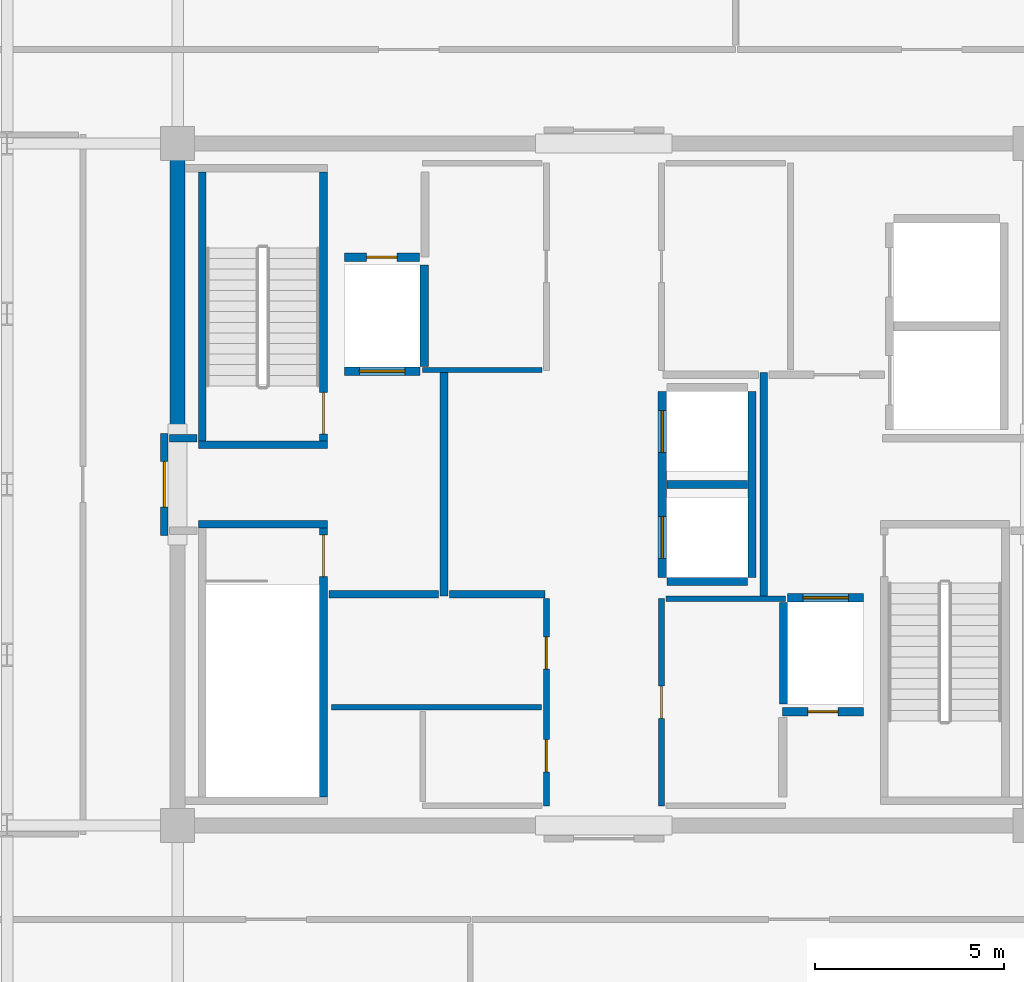
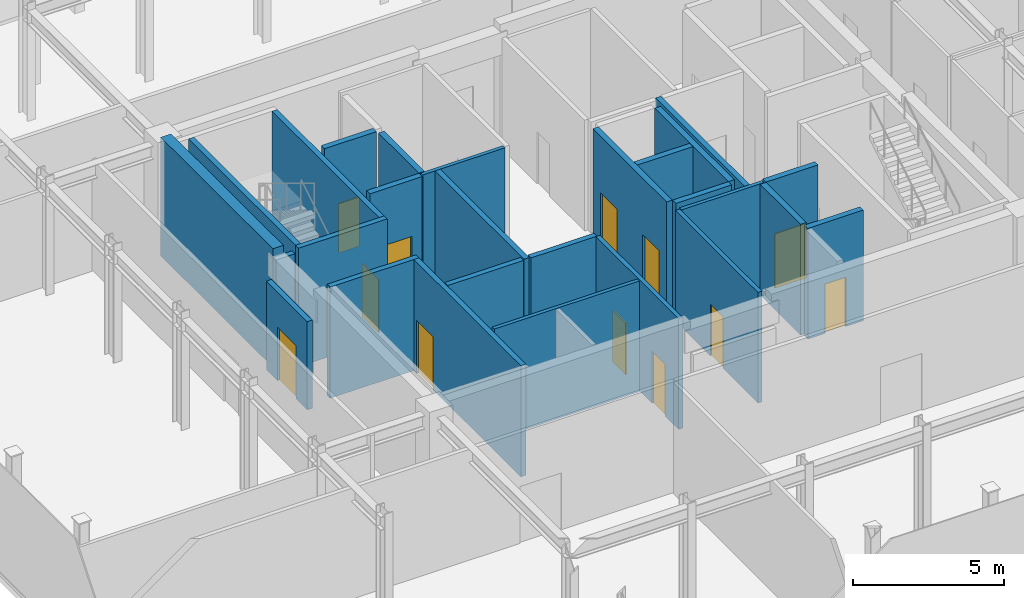
# One storey, part 13 of 17: 27 walls, 12 doors, 12 openings.
"""IFC4 building model written with IfcOpenShell, lengths in metres."""

import ifcopenshell
import ifcopenshell.guid

model = None  # the IFC model being written
_history = None  # IfcOwnerHistory: only IFC2X3 demands one
_inside = {}  # id of a spatial element -> (the spatial element, [elements in it])
_under = {}  # id of a project, library or spatial element -> (it, [spatial elements below it])
_declared = {}  # id of a project -> (the project, [libraries it declares])
_typed = {}  # id of a type object -> (the type object, [elements of that type])
_made_of = {}  # id of a material, layer set ... -> (it, [elements and type objects made of it])


def new_model(schema):
    """Start an empty IFC model of exactly this schema.

    Asked for "IFC4X3", IfcOpenShell would pick the latest addendum, in which some entities
    have other attributes; the version numbers below select the first issue.
    IFC2X3 requires an IfcOwnerHistory on every rooted entity: one is made here for all.
    """
    global model, _history
    if schema == "IFC4X3":
        model = ifcopenshell.file(schema_version=(4, 3, 0, 0))
    else:
        model = ifcopenshell.file(schema=schema)
    _inside.clear()
    _under.clear()
    _declared.clear()
    _typed.clear()
    _made_of.clear()
    _history = None
    if model.schema == "IFC2X3":
        org = make("IfcOrganization", Name="unknown")
        user = make(
            "IfcPersonAndOrganization",
            ThePerson=make("IfcPerson", FamilyName="unknown"),
            TheOrganization=org,
        )
        app = make(
            "IfcApplication",
            ApplicationDeveloper=org,
            Version="unknown",
            ApplicationFullName="unknown",
            ApplicationIdentifier="unknown",
        )
        _history = make(
            "IfcOwnerHistory",
            OwningUser=user,
            OwningApplication=app,
            ChangeAction="ADDED",
            CreationDate=0,
        )
    return model


def make(cls, **values):
    """One entity of the class cls with the attributes given. An attribute that is None is left unset."""
    return model.create_entity(
        cls, **{name: value for name, value in values.items() if value is not None}
    )


def rooted(cls, **values):
    """An entity with a GlobalId (a new one), such as an element, a storey or a relation."""
    return make(cls, GlobalId=ifcopenshell.guid.new(), OwnerHistory=_history, **values)


def si_unit(unit_type, name, prefix=None):
    """IfcSIUnit, for example si_unit("LENGTHUNIT", "METRE", prefix="MILLI")."""
    return make("IfcSIUnit", UnitType=unit_type, Prefix=prefix, Name=name)


def assignment(units):
    """IfcUnitAssignment: the units of a project."""
    return None if units is None else make("IfcUnitAssignment", Units=units)


def point(xyz):
    """IfcCartesianPoint."""
    return None if xyz is None else make("IfcCartesianPoint", Coordinates=xyz)


def direction(xyz):
    """IfcDirection."""
    return None if xyz is None else make("IfcDirection", DirectionRatios=xyz)


def frame(location, z_axis=None, x_axis=None):
    """IfcAxis2Placement3D, a coordinate frame: its origin and axes. An axis left out is left unset."""
    return make(
        "IfcAxis2Placement3D",
        Location=point(location),
        Axis=direction(z_axis),
        RefDirection=direction(x_axis),
    )


def frame_2d(location, x_axis=None):
    """IfcAxis2Placement2D, a coordinate frame in the plane: its origin and x axis."""
    return make(
        "IfcAxis2Placement2D", Location=point(location), RefDirection=direction(x_axis)
    )


def origin():
    """The frame at (0, 0, 0) with its axes left unset."""
    return frame((0.0, 0.0, 0.0))


def place(relative_to, where):
    """IfcLocalPlacement: puts the frame where relative to a parent placement (None: the world)."""
    return make(
        "IfcLocalPlacement", PlacementRelTo=relative_to, RelativePlacement=where
    )


def context(
    kind, dimensions, precision=None, world=None, true_north=None, identifier=None
):
    """IfcGeometricRepresentationContext, for example the 3D "Model" context."""
    return make(
        "IfcGeometricRepresentationContext",
        ContextIdentifier=identifier,
        ContextType=kind,
        CoordinateSpaceDimension=dimensions,
        Precision=precision,
        WorldCoordinateSystem=world,
        TrueNorth=true_north,
    )


def subcontext(parent, identifier, kind, view, scale=None):
    """IfcGeometricRepresentationSubContext, for example "Body" below "Model"."""
    return make(
        "IfcGeometricRepresentationSubContext",
        ContextIdentifier=identifier,
        ContextType=kind,
        ParentContext=parent,
        TargetScale=scale,
        TargetView=view,
    )


def project(units=None, contexts=None):
    """IfcProject with its units and contexts."""
    return rooted(
        "IfcProject",
        Name="project",
        RepresentationContexts=contexts,
        UnitsInContext=assignment(units),
    )


def spatial(cls, under=None, at=None, **own):
    """A site, building, storey or space (cls), placed at a placement, below another one or the project."""
    s = rooted(cls, ObjectPlacement=at, **own)
    if under is not None:
        _under.setdefault(under.id(), (under, []))[1].append(s)
    return s


def profile(cls, at=None, kind="AREA", **sizes):
    """A parametric profile (cls). Its sizes go by their IFC names, for example OverallWidth=200.0."""
    return make(cls, ProfileType=kind, Position=at, **sizes)


def rectangle(**sizes):
    """IfcRectangleProfileDef."""
    return profile("IfcRectangleProfileDef", **sizes)


def extrude(swept, where, along, depth):
    """IfcExtrudedAreaSolid: the profile swept, set in the frame where, extruded along a direction by depth."""
    return make(
        "IfcExtrudedAreaSolid",
        SweptArea=swept,
        Position=where,
        ExtrudedDirection=direction(along),
        Depth=depth,
    )


def shape(context_of_items, identifier, shape_type, items):
    """IfcShapeRepresentation: the items that make up one representation, for example the "Body"."""
    return make(
        "IfcShapeRepresentation",
        ContextOfItems=context_of_items,
        RepresentationIdentifier=identifier,
        RepresentationType=shape_type,
        Items=items,
    )


def source(mapping_origin, context_of_items, identifier, shape_type, items):
    """IfcRepresentationMap: a shape defined once, which mapped items show again and again."""
    return make(
        "IfcRepresentationMap",
        MappingOrigin=mapping_origin,
        MappedRepresentation=shape(context_of_items, identifier, shape_type, items),
    )


def transform(
    local_origin,
    x_axis=None,
    y_axis=None,
    z_axis=None,
    scale=None,
    scale2=None,
    scale3=None,
    uniform=True,
):
    """IfcCartesianTransformationOperator3D, or its non-uniform kind. x_axis, y_axis, z_axis: its Axis1, 2, 3."""
    if uniform:
        return make(
            "IfcCartesianTransformationOperator3D",
            Axis1=direction(x_axis),
            Axis2=direction(y_axis),
            LocalOrigin=point(local_origin),
            Scale=scale,
            Axis3=direction(z_axis),
        )
    return make(
        "IfcCartesianTransformationOperator3DnonUniform",
        Axis1=direction(x_axis),
        Axis2=direction(y_axis),
        LocalOrigin=point(local_origin),
        Scale=scale,
        Axis3=direction(z_axis),
        Scale2=scale2,
        Scale3=scale3,
    )


def mapped(mapping_source, mapping_target):
    """IfcMappedItem: shows the shape of a source again, moved by a transform."""
    return make(
        "IfcMappedItem", MappingSource=mapping_source, MappingTarget=mapping_target
    )


def material(Name=None, Category=None):
    """IfcMaterial."""
    return make("IfcMaterial", Name=Name, Category=Category)


def layer(
    of_material, thickness, ventilated=None, Name=None, Category=None, Priority=None
):
    """IfcMaterialLayer: one layer of a wall or slab, of a material (None: an air gap)."""
    return make(
        "IfcMaterialLayer",
        Material=of_material,
        LayerThickness=thickness,
        IsVentilated=ventilated,
        Name=Name,
        Category=Category,
        Priority=Priority,
    )


def layer_set(layers, Name=None):
    """IfcMaterialLayerSet."""
    return make("IfcMaterialLayerSet", MaterialLayers=layers, LayerSetName=Name)


def made_of(thing, what):
    """Note that an element or type object is made of a material, layer set ...; save() writes the relation."""
    if what is not None:
        _made_of.setdefault(what.id(), (what, []))[1].append(thing)
    return thing


def type_object(cls, material=None, **own):
    """A type object (cls), such as IfcWallType, which elements share."""
    return made_of(rooted(cls, **own), material)


def element(
    cls,
    number,
    at=None,
    inside=None,
    cuts=None,
    type_object=None,
    material=None,
    context=None,
    identifier="Body",
    shape_type=None,
    held_by="IfcProductDefinitionShape",
    body=None,
    shapes=None,
    **own,
):
    """One element of the class cls, such as IfcWall. Its Tag is "e" and its number.

    at: its placement. inside: the storey or other place that contains it. cuts: it is an
    opening in that element (IfcRelVoidsElement). A single representation is given by context,
    identifier, shape_type and body (its items); several are given by shapes. held_by: the class
    of the entity that holds the representations. save() writes the other relations.
    """
    e = rooted(cls, Tag="e%d" % number, ObjectPlacement=at, **own)
    if body is not None:
        shapes = [shape(context, identifier, shape_type, body)]
    if shapes is not None:
        e.Representation = make(held_by, Representations=shapes)
    if inside is not None:
        _inside.setdefault(inside.id(), (inside, []))[1].append(e)
    if cuts is not None:
        rooted(
            "IfcRelVoidsElement", RelatingBuildingElement=cuts, RelatedOpeningElement=e
        )
    if type_object is not None:
        _typed.setdefault(type_object.id(), (type_object, []))[1].append(e)
    return made_of(e, material)


def fill(opening, filler):
    """IfcRelFillsElement: the door or window that sits in an opening."""
    return rooted(
        "IfcRelFillsElement",
        RelatingOpeningElement=opening,
        RelatedBuildingElement=filler,
    )


def aggregate(whole, parts):
    """IfcRelAggregates: a whole, such as a stair, and the parts it consists of."""
    return rooted("IfcRelAggregates", RelatingObject=whole, RelatedObjects=parts)


def save(model, path):
    """Write the relations noted so far, then the file.

    IfcRelAggregates (storeys below a building ...), IfcRelContainedInSpatialStructure (elements
    in a storey), IfcRelDefinesByType, IfcRelAssociatesMaterial and IfcRelDeclares: one each for
    every whole, place, type object, material and project.
    """
    for whole, parts in _under.values():
        aggregate(whole, parts)
    for where, things in _inside.values():
        rooted(
            "IfcRelContainedInSpatialStructure",
            RelatedElements=things,
            RelatingStructure=where,
        )
    for kind, things in _typed.values():
        rooted("IfcRelDefinesByType", RelatedObjects=things, RelatingType=kind)
    for what, things in _made_of.values():
        rooted("IfcRelAssociatesMaterial", RelatedObjects=things, RelatingMaterial=what)
    for by, libraries in _declared.values():
        rooted("IfcRelDeclares", RelatingContext=by, RelatedDefinitions=libraries)
    model.write(path)


model = new_model("IFC4")

# Units and contexts
model_context = context("Model", 3, precision=1e-05, world=origin(), true_north=direction((0.0, 1.0)))
body_context = subcontext(model_context, "Body", "Model", "MODEL_VIEW")
ifc_project = project(units=[si_unit("LENGTHUNIT", "METRE"), si_unit("AREAUNIT", "SQUARE_METRE"), si_unit("VOLUMEUNIT", "CUBIC_METRE"), si_unit("PLANEANGLEUNIT", "RADIAN"), si_unit("MASSUNIT", "GRAM", prefix="KILO")], contexts=[model_context])

# Site, building, storey
site_placement = place(None, origin())
site = spatial("IfcSite", under=ifc_project, at=site_placement, CompositionType="ELEMENT")
building_placement = place(site_placement, origin())
building = spatial("IfcBuilding", under=site, at=building_placement, Name="Nefas-Gora Pilgrimage Tower", CompositionType="ELEMENT")
storey_placement = place(building_placement, frame((0.0, 0.0, 353.800048828125)))
storey = spatial("IfcBuildingStorey", under=building, at=storey_placement, Name="L89", CompositionType="ELEMENT", Elevation=353.800048828125)

# Walls
ifc_material_1 = material(Name="Concrete C50/60", Category="concrete")
ifc_layer_1 = layer(ifc_material_1, 0.39990234375)
ifc_layer_set_1 = layer_set([ifc_layer_1], Name="Concrete C50/60")
wall_type_1 = type_object("IfcWallType", Name="SW-CORE-400", PredefinedType="SHEAR", material=ifc_layer_set_1)
shared_shape_1 = source(origin(), body_context, "Body", "SweptSolid", [
    extrude(rectangle(XDim=7.449951171875, YDim=0.39990234375, at=frame_2d((3.72509765625, 0.0))), origin(), (0.0, 0.0, 1.0), 4.800048828125),
])
wall_1_placement = place(storey_placement, frame((-11.25, 1.35009765625, 0.0), z_axis=(0.0, 0.0, 1.0), x_axis=(0.0, 1.0, 0.0)))
element("IfcWall", 1, at=wall_1_placement, inside=storey, type_object=wall_type_1, Name="L89 Core Shear Wall W-North", PredefinedType="SHEAR", context=body_context, shape_type="MappedRepresentation", body=[
    mapped(shared_shape_1, transform((0.0, 0.0, 0.0), x_axis=(1.0, 0.0, 0.0), y_axis=(0.0, 1.0, 0.0), z_axis=(0.0, 0.0, 1.0), scale=1.0)),
])
ifc_material_2 = material(Name="Concrete C45/55", Category="concrete")
ifc_layer_2 = layer(ifc_material_2, 0.199951171875)
ifc_layer_set_2 = layer_set([ifc_layer_2], Name="Concrete C45/55")
wall_type_2 = type_object("IfcWallType", Name="IW-STAIR-200", PredefinedType="SOLIDWALL", material=ifc_layer_set_2)
shared_shape_2 = source(origin(), body_context, "Body", "SweptSolid", [
    extrude(rectangle(XDim=3.39990234375, YDim=0.199951171875, at=frame_2d((1.699951171875, 0.0))), origin(), (0.0, 0.0, 1.0), 4.5),
])
wall_2_placement = place(storey_placement, frame((-10.699951171875, -1.050048828125, 0.0), z_axis=(0.0, 0.0, 1.0), x_axis=(1.0, 0.0, 0.0)))
element("IfcWall", 2, at=wall_2_placement, inside=storey, type_object=wall_type_2, Name="L89 Stairwell Shear Wall ST-03-near", PredefinedType="SOLIDWALL", context=body_context, shape_type="MappedRepresentation", body=[
    mapped(shared_shape_2, transform((0.0, 0.0, 0.0), x_axis=(1.0, 0.0, 0.0), y_axis=(0.0, 1.0, 0.0), z_axis=(0.0, 0.0, 1.0), scale=1.0)),
])

# Wall, opening, door
shared_shape_3 = source(origin(), body_context, "Body", "SweptSolid", [
    extrude(rectangle(XDim=7.10009765625, YDim=0.199951171875, at=frame_2d((3.550048828125, 0.0))), origin(), (0.0, 0.0, 1.0), 4.5),
])
wall_3_placement = place(storey_placement, frame((-7.39990234375, -1.14990234375, 0.0), z_axis=(0.0, 0.0, 1.0), x_axis=(0.0, -1.0, 0.0)))
wall_3 = element("IfcWall", 3, at=wall_3_placement, inside=storey, type_object=wall_type_2, Name="L89 Stairwell Shear Wall ST-03-right", PredefinedType="SOLIDWALL", context=body_context, shape_type="MappedRepresentation", body=[
    mapped(shared_shape_3, transform((0.0, 0.0, 0.0), x_axis=(1.0, 0.0, 0.0), y_axis=(0.0, 1.0, 0.0), z_axis=(0.0, 0.0, 1.0), scale=1.0)),
])
opening_1_placement = place(wall_3_placement, frame((0.179931640625, 0.0, 0.0)))
opening_1 = element("IfcOpeningElement", 4, at=opening_1_placement, cuts=wall_3, Name="Opening ID-ST1", PredefinedType="OPENING", context=body_context, shape_type="SweptSolid", body=[
    extrude(rectangle(XDim=1.10009765625, YDim=2.14990234375, at=frame_2d((0.550048828125, 1.074951171875))), frame((0.0, 0.10986328125, 0.0), z_axis=(0.0, -1.0, 0.0), x_axis=(1.0, 0.0, 0.0)), (0.0, 0.0, 1.0), 0.219970703125),
])
ifc_material_3 = material(Name="Painted galvanised steel fire stair door", Category="steel")
door_type_1 = type_object("IfcDoorType", Name="DR-INT-STAIR-1100", OperationType="NOTDEFINED", PredefinedType="DOOR", material=ifc_material_3)
shared_shape_4 = source(origin(), body_context, "Body", "SweptSolid", [
    extrude(rectangle(XDim=1.10009765625, YDim=2.14990234375, at=frame_2d((0.550048828125, 1.074951171875))), frame((0.0, 0.02490234375, 0.0), z_axis=(0.0, -1.0, 0.0), x_axis=(1.0, 0.0, 0.0)), (0.0, 0.0, 1.0), 0.050048828125),
])
door_1_placement = place(opening_1_placement, origin())
door_1 = element("IfcDoor", 5, at=door_1_placement, inside=storey, type_object=door_type_1, Name="L89 Protected Exit Stair Door ST-03", OperationType="SINGLE_SWING_LEFT", OverallHeight=2.14990234375, OverallWidth=1.10009765625, PredefinedType="DOOR", context=body_context, shape_type="MappedRepresentation", body=[
    mapped(shared_shape_4, transform((0.0, 0.0, 0.0), x_axis=(1.0, 0.0, 0.0), y_axis=(0.0, 1.0, 0.0), z_axis=(0.0, 0.0, 1.0), scale=1.0)),
])
fill(opening_1, door_1)

# Wall
shared_shape_5 = source(origin(), body_context, "Body", "SweptSolid", [
    extrude(rectangle(XDim=3.39990234375, YDim=0.199951171875, at=frame_2d((1.699951171875, 0.0))), origin(), (0.0, 0.0, 1.0), 4.800048828125),
])
wall_4_placement = place(storey_placement, frame((-7.300048828125, 1.050048828125, 0.0), z_axis=(0.0, 0.0, 1.0), x_axis=(-1.0, 0.0, 0.0)))
element("IfcWall", 6, at=wall_4_placement, inside=storey, type_object=wall_type_2, Name="L89 Stairwell Shear Wall ST-01-near", PredefinedType="SOLIDWALL", context=body_context, shape_type="MappedRepresentation", body=[
    mapped(shared_shape_5, transform((0.0, 0.0, 0.0), x_axis=(1.0, 0.0, 0.0), y_axis=(0.0, 1.0, 0.0), z_axis=(0.0, 0.0, 1.0), scale=1.0)),
])

# Wall, opening, door
shared_shape_6 = source(origin(), body_context, "Body", "SweptSolid", [
    extrude(rectangle(XDim=7.10009765625, YDim=0.199951171875, at=frame_2d((3.550048828125, 0.0))), origin(), (0.0, 0.0, 1.0), 4.800048828125),
])
wall_5_placement = place(storey_placement, frame((-7.39990234375, 1.14990234375, 0.0), z_axis=(0.0, 0.0, 1.0), x_axis=(0.0, 1.0, 0.0)))
wall_5 = element("IfcWall", 7, at=wall_5_placement, inside=storey, type_object=wall_type_2, Name="L89 Stairwell Shear Wall ST-01-left", PredefinedType="SOLIDWALL", context=body_context, shape_type="MappedRepresentation", body=[
    mapped(shared_shape_6, transform((0.0, 0.0, 0.0), x_axis=(1.0, 0.0, 0.0), y_axis=(0.0, 1.0, 0.0), z_axis=(0.0, 0.0, 1.0), scale=1.0)),
])
opening_2_placement = place(wall_5_placement, frame((0.179931640625, 0.0, 0.0)))
opening_2 = element("IfcOpeningElement", 8, at=opening_2_placement, cuts=wall_5, Name="Opening ID-ST1", PredefinedType="OPENING", context=body_context, shape_type="SweptSolid", body=[
    extrude(rectangle(XDim=1.10009765625, YDim=2.14990234375, at=frame_2d((0.550048828125, 1.074951171875))), frame((0.0, 0.10986328125, 0.0), z_axis=(0.0, -1.0, 0.0), x_axis=(1.0, 0.0, 0.0)), (0.0, 0.0, 1.0), 0.219970703125),
])
door_2_placement = place(opening_2_placement, origin())
door_2 = element("IfcDoor", 9, at=door_2_placement, inside=storey, type_object=door_type_1, Name="L89 Protected Exit Stair Door ST-01", OperationType="SINGLE_SWING_LEFT", OverallHeight=2.14990234375, OverallWidth=1.10009765625, PredefinedType="DOOR", context=body_context, shape_type="MappedRepresentation", body=[
    mapped(shared_shape_4, transform((0.0, 0.0, 0.0), x_axis=(1.0, 0.0, 0.0), y_axis=(0.0, 1.0, 0.0), z_axis=(0.0, 0.0, 1.0), scale=1.0)),
])
fill(opening_2, door_2)

# Wall
wall_6_placement = place(storey_placement, frame((-10.60009765625, 1.14990234375, 0.0), z_axis=(0.0, 0.0, 1.0), x_axis=(0.0, 1.0, 0.0)))
element("IfcWall", 10, at=wall_6_placement, inside=storey, type_object=wall_type_2, Name="L89 Stairwell Shear Wall ST-01-right", PredefinedType="SOLIDWALL", context=body_context, shape_type="MappedRepresentation", body=[
    mapped(shared_shape_6, transform((0.0, 0.0, 0.0), x_axis=(1.0, 0.0, 0.0), y_axis=(0.0, 1.0, 0.0), z_axis=(0.0, 0.0, 1.0), scale=1.0)),
])

# Wall, opening, door
ifc_material_4 = material(Name="Concrete C40/50", Category="concrete")
ifc_layer_3 = layer(ifc_material_4, 0.219970703125)
ifc_layer_set_3 = layer_set([ifc_layer_3], Name="Concrete C40/50")
wall_type_3 = type_object("IfcWallType", Name="IW-SHAFT-220", PredefinedType="SOLIDWALL", material=ifc_layer_set_3)
shared_shape_7 = source(origin(), body_context, "Body", "SweptSolid", [
    extrude(rectangle(XDim=2.0, YDim=0.219970703125, at=frame_2d((1.0, 0.0))), origin(), (0.0, 0.0, 1.0), 4.48486328125),
])
wall_7_placement = place(storey_placement, frame((-6.85009765625, 2.989990234375, 0.0), z_axis=(0.0, 0.0, 1.0), x_axis=(1.0, 0.0, 0.0)))
wall_7 = element("IfcWall", 11, at=wall_7_placement, inside=storey, type_object=wall_type_3, Name="L89 Hoistway Wall FFL-01-S", PredefinedType="SOLIDWALL", context=body_context, shape_type="MappedRepresentation", body=[
    mapped(shared_shape_7, transform((0.0, 0.0, 0.0), x_axis=(1.0, 0.0, 0.0), y_axis=(0.0, 1.0, 0.0), z_axis=(0.0, 0.0, 1.0), scale=1.0)),
])
opening_3_placement = place(wall_7_placement, frame((0.39990234375, 0.0, 0.0)))
opening_3 = element("IfcOpeningElement", 12, at=opening_3_placement, cuts=wall_7, Name="Opening LD-FF", PredefinedType="OPENING", context=body_context, shape_type="SweptSolid", body=[
    extrude(rectangle(XDim=1.199951171875, YDim=2.199951171875, at=frame_2d((0.60009765625, 1.10009765625))), frame((0.0, 0.119873046875, 0.0), z_axis=(0.0, -1.0, 0.0), x_axis=(1.0, 0.0, 0.0)), (0.0, 0.0, 1.0), 0.239990234375),
])
ifc_material_5 = material(Name="Fire-service sliding lift landing door")
door_type_2 = type_object("IfcDoorType", Name="DR-LIFT-FSAE-1200", OperationType="SLIDING_TO_LEFT", PredefinedType="DOOR", material=ifc_material_5)
shared_shape_8 = source(origin(), body_context, "Body", "SweptSolid", [
    extrude(rectangle(XDim=1.199951171875, YDim=2.199951171875, at=frame_2d((0.60009765625, 1.10009765625))), frame((0.0, 0.02490234375, 0.0), z_axis=(0.0, -1.0, 0.0), x_axis=(1.0, 0.0, 0.0)), (0.0, 0.0, 1.0), 0.050048828125),
])
door_3_placement = place(opening_3_placement, origin())
door_3 = element("IfcDoor", 13, at=door_3_placement, inside=storey, type_object=door_type_2, Name="L89 Sliding Lift Landing Door FFL-01", OperationType="SLIDING_TO_LEFT", OverallHeight=2.199951171875, OverallWidth=1.199951171875, PredefinedType="DOOR", context=body_context, shape_type="MappedRepresentation", body=[
    mapped(shared_shape_8, transform((0.0, 0.0, 0.0), x_axis=(1.0, 0.0, 0.0), y_axis=(0.0, 1.0, 0.0), z_axis=(0.0, 0.0, 1.0), scale=1.0)),
])
fill(opening_3, door_3)

wall_8_placement = place(storey_placement, frame((6.85009765625, -2.989990234375, 0.0), z_axis=(0.0, 0.0, 1.0), x_axis=(-1.0, 0.0, 0.0)))
wall_8 = element("IfcWall", 14, at=wall_8_placement, inside=storey, type_object=wall_type_3, Name="L89 Hoistway Wall FFL-02-N", PredefinedType="SOLIDWALL", context=body_context, shape_type="MappedRepresentation", body=[
    mapped(shared_shape_7, transform((0.0, 0.0, 0.0), x_axis=(1.0, 0.0, 0.0), y_axis=(0.0, 1.0, 0.0), z_axis=(0.0, 0.0, 1.0), scale=1.0)),
])
opening_4_placement = place(wall_8_placement, frame((0.39990234375, 0.0, 0.0)))
opening_4 = element("IfcOpeningElement", 15, at=opening_4_placement, cuts=wall_8, Name="Opening LD-FF", PredefinedType="OPENING", context=body_context, shape_type="SweptSolid", body=[
    extrude(rectangle(XDim=1.199951171875, YDim=2.199951171875, at=frame_2d((0.60009765625, 1.10009765625))), frame((0.0, 0.119873046875, 0.0), z_axis=(0.0, -1.0, 0.0), x_axis=(1.0, 0.0, 0.0)), (0.0, 0.0, 1.0), 0.239990234375),
])
door_4_placement = place(opening_4_placement, origin())
door_4 = element("IfcDoor", 16, at=door_4_placement, inside=storey, type_object=door_type_2, Name="L89 Sliding Lift Landing Door FFL-02", OperationType="SLIDING_TO_LEFT", OverallHeight=2.199951171875, OverallWidth=1.199951171875, PredefinedType="DOOR", context=body_context, shape_type="MappedRepresentation", body=[
    mapped(shared_shape_8, transform((0.0, 0.0, 0.0), x_axis=(1.0, 0.0, 0.0), y_axis=(0.0, 1.0, 0.0), z_axis=(0.0, 0.0, 1.0), scale=1.0)),
])
fill(opening_4, door_4)

# Walls
shared_shape_9 = source(origin(), body_context, "Body", "SweptSolid", [
    extrude(rectangle(XDim=2.679931640625, YDim=0.219970703125, at=frame_2d((1.33984375, 0.0))), origin(), (0.0, 0.0, 1.0), 4.48486328125),
])
for number, where, z_axis, x_axis, name in (
    (17, (-4.739990234375, 3.110107421875, 0.0), (0.0, 0.0, 1.0), (0.0, 1.0, 0.0), "L89 Hoistway Wall FFL-01-E"),
    (18, (4.739990234375, -3.110107421875, 0.0), (0.0, 0.0, 1.0), (0.0, -1.0, 0.0), "L89 Hoistway Wall FFL-02-W"),
):
    element("IfcWall", number, at=place(storey_placement, frame(where, z_axis=z_axis, x_axis=x_axis)), inside=storey, type_object=wall_type_3, Name=name, PredefinedType="SOLIDWALL", context=body_context, shape_type="MappedRepresentation", body=[
        mapped(shared_shape_9, transform((0.0, 0.0, 0.0), x_axis=(1.0, 0.0, 0.0), y_axis=(0.0, 1.0, 0.0), z_axis=(0.0, 0.0, 1.0), scale=1.0)),
    ])

# Wall, openings, doors
shared_shape_10 = source(origin(), body_context, "Body", "SweptSolid", [
    extrude(rectangle(XDim=4.89990234375, YDim=0.219970703125, at=frame_2d((2.449951171875, 0.0))), origin(), (0.0, 0.0, 1.0), 4.48486328125),
])
wall_9_placement = place(storey_placement, frame((1.5400390625, 2.449951171875, 0.0), z_axis=(0.0, 0.0, 1.0), x_axis=(0.0, -1.0, 0.0)))
wall_9 = element("IfcWall", 19, at=wall_9_placement, inside=storey, type_object=wall_type_3, Name="L89 Hoistway Wall OBS-01-02-W", PredefinedType="SOLIDWALL", context=body_context, shape_type="MappedRepresentation", body=[
    mapped(shared_shape_10, transform((0.0, 0.0, 0.0), x_axis=(1.0, 0.0, 0.0), y_axis=(0.0, 1.0, 0.0), z_axis=(0.0, 0.0, 1.0), scale=1.0)),
])
opening_5_placement = place(wall_9_placement, frame((3.300048828125, 0.0, 0.0)))
opening_5 = element("IfcOpeningElement", 20, at=opening_5_placement, cuts=wall_9, Name="Opening LD-01", PredefinedType="OPENING", context=body_context, shape_type="SweptSolid", body=[
    extrude(rectangle(XDim=1.10009765625, YDim=2.199951171875, at=frame_2d((0.550048828125, 1.10009765625))), frame((0.0, 0.119873046875, 0.0), z_axis=(0.0, -1.0, 0.0), x_axis=(1.0, 0.0, 0.0)), (0.0, 0.0, 1.0), 0.239990234375),
])
opening_6_placement = place(wall_9_placement, frame((0.5, 0.0, 0.0)))
opening_6 = element("IfcOpeningElement", 21, at=opening_6_placement, cuts=wall_9, Name="Opening LD-01", PredefinedType="OPENING", context=body_context, shape_type="SweptSolid", body=[
    extrude(rectangle(XDim=1.10009765625, YDim=2.199951171875, at=frame_2d((0.550048828125, 1.10009765625))), frame((0.0, 0.119873046875, 0.0), z_axis=(0.0, -1.0, 0.0), x_axis=(1.0, 0.0, 0.0)), (0.0, 0.0, 1.0), 0.239990234375),
])
ifc_material_6 = material(Name="Brushed stainless sliding lift landing door")
door_type_3 = type_object("IfcDoorType", Name="DR-LIFT-PASS-1100", OperationType="DOUBLE_DOOR_SLIDING", PredefinedType="DOOR", material=ifc_material_6)
shared_shape_11 = source(origin(), body_context, "Body", "SweptSolid", [
    extrude(rectangle(XDim=1.10009765625, YDim=2.199951171875, at=frame_2d((0.550048828125, 1.10009765625))), frame((0.0, 0.02490234375, 0.0), z_axis=(0.0, -1.0, 0.0), x_axis=(1.0, 0.0, 0.0)), (0.0, 0.0, 1.0), 0.050048828125),
])
door_5_placement = place(opening_5_placement, origin())
door_5 = element("IfcDoor", 22, at=door_5_placement, inside=storey, type_object=door_type_3, Name="L89 Sliding Lift Landing Door OBS-01", OperationType="DOUBLE_DOOR_SLIDING", OverallHeight=2.199951171875, OverallWidth=1.10009765625, PredefinedType="DOOR", context=body_context, shape_type="MappedRepresentation", body=[
    mapped(shared_shape_11, transform((0.0, 0.0, 0.0), x_axis=(1.0, 0.0, 0.0), y_axis=(0.0, 1.0, 0.0), z_axis=(0.0, 0.0, 1.0), scale=1.0)),
])
fill(opening_5, door_5)
door_6_placement = place(opening_6_placement, origin())
door_6 = element("IfcDoor", 23, at=door_6_placement, inside=storey, type_object=door_type_3, Name="L89 Sliding Lift Landing Door OBS-02", OperationType="DOUBLE_DOOR_SLIDING", OverallHeight=2.199951171875, OverallWidth=1.10009765625, PredefinedType="DOOR", context=body_context, shape_type="MappedRepresentation", body=[
    mapped(shared_shape_11, transform((0.0, 0.0, 0.0), x_axis=(1.0, 0.0, 0.0), y_axis=(0.0, 1.0, 0.0), z_axis=(0.0, 0.0, 1.0), scale=1.0)),
])
fill(opening_6, door_6)

# Walls
wall_10_placement = place(storey_placement, frame((3.909912109375, -2.449951171875, 0.0), z_axis=(0.0, 0.0, 1.0), x_axis=(0.0, 1.0, 0.0)))
element("IfcWall", 24, at=wall_10_placement, inside=storey, type_object=wall_type_3, Name="L89 Hoistway Wall OBS-01-02-E", PredefinedType="SOLIDWALL", context=body_context, shape_type="MappedRepresentation", body=[
    mapped(shared_shape_10, transform((0.0, 0.0, 0.0), x_axis=(1.0, 0.0, 0.0), y_axis=(0.0, 1.0, 0.0), z_axis=(0.0, 0.0, 1.0), scale=1.0)),
])
shared_shape_12 = source(origin(), body_context, "Body", "SweptSolid", [
    extrude(rectangle(XDim=2.130126953125, YDim=0.219970703125, at=frame_2d((1.06494140625, 0.0))), origin(), (0.0, 0.0, 1.0), 4.48486328125),
])
for number, where, z_axis, x_axis, name in (
    (25, (1.659912109375, -2.56005859375, 0.0), (0.0, 0.0, 1.0), (1.0, 0.0, 0.0), "L89 Hoistway Wall OBS-01-S"),
    (26, (1.659912109375, 0.0, 0.0), (0.0, 0.0, 1.0), (1.0, 0.0, 0.0), "L89 Hoistway Wall OBS-01-02-DIV"),
):
    element("IfcWall", number, at=place(storey_placement, frame(where, z_axis=z_axis, x_axis=x_axis)), inside=storey, type_object=wall_type_3, Name=name, PredefinedType="SOLIDWALL", context=body_context, shape_type="MappedRepresentation", body=[
        mapped(shared_shape_12, transform((0.0, 0.0, 0.0), x_axis=(1.0, 0.0, 0.0), y_axis=(0.0, 1.0, 0.0), z_axis=(0.0, 0.0, 1.0), scale=1.0)),
    ])

# Wall, opening, door
wall_11_placement = place(storey_placement, frame((4.719970703125, -6.0, 0.0), z_axis=(0.0, 0.0, 1.0), x_axis=(1.0, 0.0, 0.0)))
wall_11 = element("IfcWall", 27, at=wall_11_placement, inside=storey, type_object=wall_type_3, Name="L89 Riser Shaft Wall 3", PredefinedType="SOLIDWALL", context=body_context, shape_type="MappedRepresentation", body=[
    mapped(shared_shape_12, transform((0.0, 0.0, 0.0), x_axis=(1.0, 0.0, 0.0), y_axis=(0.0, 1.0, 0.0), z_axis=(0.0, 0.0, 1.0), scale=1.0)),
])
opening_7_placement = place(wall_11_placement, frame((0.6650390625, 0.0, 0.0)))
opening_7 = element("IfcOpeningElement", 28, at=opening_7_placement, cuts=wall_11, Name="Opening ID-TR1", PredefinedType="OPENING", context=body_context, shape_type="SweptSolid", body=[
    extrude(rectangle(XDim=0.800048828125, YDim=2.0, at=frame_2d((0.39990234375, 1.0))), frame((0.0, 0.119873046875, 0.0), z_axis=(0.0, -1.0, 0.0), x_axis=(1.0, 0.0, 0.0)), (0.0, 0.0, 1.0), 0.239990234375),
])
ifc_material_7 = material(Name="Riser maintenance fire access door")
door_type_4 = type_object("IfcDoorType", Name="DR-INT-TRAP-800", OperationType="NOTDEFINED", PredefinedType="TRAPDOOR", material=ifc_material_7)
shared_shape_13 = source(origin(), body_context, "Body", "SweptSolid", [
    extrude(rectangle(XDim=0.800048828125, YDim=2.0, at=frame_2d((0.39990234375, 1.0))), frame((0.0, 0.02490234375, 0.0), z_axis=(0.0, -1.0, 0.0), x_axis=(1.0, 0.0, 0.0)), (0.0, 0.0, 1.0), 0.050048828125),
])
door_7_placement = place(opening_7_placement, origin())
door_7 = element("IfcDoor", 29, at=door_7_placement, inside=storey, type_object=door_type_4, Name="L89 Riser Shaft Door 2", OperationType="SINGLE_SWING_LEFT", OverallHeight=2.0, OverallWidth=0.800048828125, PredefinedType="TRAPDOOR", context=body_context, shape_type="MappedRepresentation", body=[
    mapped(shared_shape_13, transform((0.0, 0.0, 0.0), x_axis=(1.0, 0.0, 0.0), y_axis=(0.0, 1.0, 0.0), z_axis=(0.0, 0.0, 1.0), scale=1.0)),
])
fill(opening_7, door_7)

ifc_material_8 = material(Name="Gypsum fire-rated shaftwall")
ifc_layer_4 = layer(ifc_material_8, 0.199951171875)
ifc_layer_set_4 = layer_set([ifc_layer_4], Name="Gypsum fire-rated shaftwall")
wall_type_4 = type_object("IfcWallType", Name="IW-FFLOB-200", PredefinedType="PARTITIONING", material=ifc_layer_set_4)
shared_shape_14 = source(origin(), body_context, "Body", "SweptSolid", [
    extrude(rectangle(XDim=2.7001953125, YDim=0.199951171875, at=frame_2d((1.35009765625, 0.0))), origin(), (0.0, 0.0, 1.0), 3.574951171875),
])
wall_12_placement = place(storey_placement, frame((-11.60009765625, -1.35009765625, 0.0), z_axis=(0.0, 0.0, 1.0), x_axis=(0.0, 1.0, 0.0)))
wall_12 = element("IfcWall", 30, at=wall_12_placement, inside=storey, type_object=wall_type_4, Name="L89 FF Lobby West Portal Wall 5", PredefinedType="PARTITIONING", context=body_context, shape_type="MappedRepresentation", body=[
    mapped(shared_shape_14, transform((0.0, 0.0, 0.0), x_axis=(1.0, 0.0, 0.0), y_axis=(0.0, 1.0, 0.0), z_axis=(0.0, 0.0, 1.0), scale=1.0)),
])
opening_8_placement = place(wall_12_placement, frame((0.75, 0.0, 0.0)))
opening_8 = element("IfcOpeningElement", 31, at=opening_8_placement, cuts=wall_12, Name="Opening ID-FF1", PredefinedType="OPENING", context=body_context, shape_type="SweptSolid", body=[
    extrude(rectangle(XDim=1.199951171875, YDim=2.14990234375, at=frame_2d((0.60009765625, 1.074951171875))), frame((0.0, 0.10986328125, 0.0), z_axis=(0.0, -1.0, 0.0), x_axis=(1.0, 0.0, 0.0)), (0.0, 0.0, 1.0), 0.219970703125),
])
ifc_material_9 = material(Name="Smoke-sealed steel firefighting lobby door", Category="steel")
door_type_5 = type_object("IfcDoorType", Name="DR-INT-FFLOB-1200", OperationType="NOTDEFINED", PredefinedType="DOOR", material=ifc_material_9)
shared_shape_15 = source(origin(), body_context, "Body", "SweptSolid", [
    extrude(rectangle(XDim=1.199951171875, YDim=2.14990234375, at=frame_2d((0.60009765625, 1.074951171875))), frame((0.0, 0.02490234375, 0.0), z_axis=(0.0, -1.0, 0.0), x_axis=(1.0, 0.0, 0.0)), (0.0, 0.0, 1.0), 0.050048828125),
])
door_8_placement = place(opening_8_placement, origin())
door_8 = element("IfcDoor", 32, at=door_8_placement, inside=storey, type_object=door_type_5, Name="L89 FF Lobby West Portal Door 3", OperationType="SINGLE_SWING_RIGHT", OverallHeight=2.14990234375, OverallWidth=1.199951171875, PredefinedType="DOOR", context=body_context, shape_type="MappedRepresentation", body=[
    mapped(shared_shape_15, transform((0.0, 0.0, 0.0), x_axis=(1.0, 0.0, 0.0), y_axis=(0.0, 1.0, 0.0), z_axis=(0.0, 0.0, 1.0), scale=1.0)),
])
fill(opening_8, door_8)

shared_shape_16 = source(origin(), body_context, "Body", "SweptSolid", [
    extrude(rectangle(XDim=1.97998046875, YDim=0.219970703125, at=frame_2d((0.989990234375, 0.0))), origin(), (0.0, 0.0, 1.0), 4.48486328125),
])
wall_13_placement = place(storey_placement, frame((-6.85009765625, 6.0, 0.0), z_axis=(0.0, 0.0, 1.0), x_axis=(1.0, 0.0, 0.0)))
wall_13 = element("IfcWall", 33, at=wall_13_placement, inside=storey, type_object=wall_type_3, Name="L89 Riser Shaft Wall 2", PredefinedType="SOLIDWALL", context=body_context, shape_type="MappedRepresentation", body=[
    mapped(shared_shape_16, transform((0.0, 0.0, 0.0), x_axis=(1.0, 0.0, 0.0), y_axis=(0.0, 1.0, 0.0), z_axis=(0.0, 0.0, 1.0), scale=1.0)),
])
opening_9_placement = place(wall_13_placement, frame((0.590087890625, 0.0, 0.0)))
opening_9 = element("IfcOpeningElement", 34, at=opening_9_placement, cuts=wall_13, Name="Opening ID-TR1", PredefinedType="OPENING", context=body_context, shape_type="SweptSolid", body=[
    extrude(rectangle(XDim=0.800048828125, YDim=2.0, at=frame_2d((0.39990234375, 1.0))), frame((0.0, 0.119873046875, 0.0), z_axis=(0.0, -1.0, 0.0), x_axis=(1.0, 0.0, 0.0)), (0.0, 0.0, 1.0), 0.239990234375),
])
door_9_placement = place(opening_9_placement, origin())
door_9 = element("IfcDoor", 35, at=door_9_placement, inside=storey, type_object=door_type_4, Name="L89 Riser Shaft Door 1", OperationType="SINGLE_SWING_RIGHT", OverallHeight=2.0, OverallWidth=0.800048828125, PredefinedType="TRAPDOOR", context=body_context, shape_type="MappedRepresentation", body=[
    mapped(shared_shape_13, transform((0.0, 0.0, 0.0), x_axis=(1.0, 0.0, 0.0), y_axis=(0.0, 1.0, 0.0), z_axis=(0.0, 0.0, 1.0), scale=1.0)),
])
fill(opening_9, door_9)

# Walls
shared_shape_17 = source(origin(), body_context, "Body", "SweptSolid", [
    extrude(rectangle(XDim=5.89990234375, YDim=0.199951171875, at=frame_2d((2.949951171875, 0.0))), origin(), (0.0, 0.0, 1.0), 4.48486328125),
])
for number, where, z_axis, x_axis, name in (
    (36, (-4.219970703125, -2.949951171875, 0.0), (0.0, 0.0, 1.0), (0.0, 1.0, 0.0), "L89 FF Lobby West Inner Wall Wall 6"),
    (37, (4.219970703125, -2.949951171875, 0.0), (0.0, 0.0, 1.0), (0.0, 1.0, 0.0), "L89 FF Lobby East Inner Wall Wall 12"),
):
    element("IfcWall", number, at=place(storey_placement, frame(where, z_axis=z_axis, x_axis=x_axis)), inside=storey, type_object=wall_type_4, Name=name, PredefinedType="PARTITIONING", context=body_context, shape_type="MappedRepresentation", body=[
        mapped(shared_shape_17, transform((0.0, 0.0, 0.0), x_axis=(1.0, 0.0, 0.0), y_axis=(0.0, 1.0, 0.0), z_axis=(0.0, 0.0, 1.0), scale=1.0)),
    ])
shared_shape_18 = source(origin(), body_context, "Body", "SweptSolid", [
    extrude(rectangle(XDim=2.89990234375, YDim=0.199951171875, at=frame_2d((1.449951171875, 0.0))), origin(), (0.0, 0.0, 1.0), 4.48486328125),
])
wall_14_placement = place(storey_placement, frame((-7.260009765625, -2.89990234375, 0.0), z_axis=(0.0, 0.0, 1.0), x_axis=(1.0, 0.0, 0.0)))
element("IfcWall", 38, at=wall_14_placement, inside=storey, type_object=wall_type_4, Name="L89 FF Lobby West South Wall Wall 7", PredefinedType="PARTITIONING", context=body_context, shape_type="MappedRepresentation", body=[
    mapped(shared_shape_18, transform((0.0, 0.0, 0.0), x_axis=(1.0, 0.0, 0.0), y_axis=(0.0, 1.0, 0.0), z_axis=(0.0, 0.0, 1.0), scale=1.0)),
])
shared_shape_19 = source(origin(), body_context, "Body", "SweptSolid", [
    extrude(rectangle(XDim=2.52001953125, YDim=0.199951171875, at=frame_2d((1.260009765625, 0.0))), origin(), (0.0, 0.0, 1.0), 4.48486328125),
])
wall_15_placement = place(storey_placement, frame((-4.080078125, -2.89990234375, 0.0), z_axis=(0.0, 0.0, 1.0), x_axis=(1.0, 0.0, 0.0)))
element("IfcWall", 39, at=wall_15_placement, inside=storey, type_object=wall_type_4, Name="L89 FF Lobby West South Wall Wall 8", PredefinedType="PARTITIONING", context=body_context, shape_type="MappedRepresentation", body=[
    mapped(shared_shape_19, transform((0.0, 0.0, 0.0), x_axis=(1.0, 0.0, 0.0), y_axis=(0.0, 1.0, 0.0), z_axis=(0.0, 0.0, 1.0), scale=1.0)),
])
shared_shape_20 = source(origin(), body_context, "Body", "SweptSolid", [
    extrude(rectangle(XDim=0.719970703125, YDim=0.199951171875, at=frame_2d((0.35986328125, 0.0))), origin(), (0.0, 0.0, 1.0), 4.48486328125),
])
wall_16_placement = place(storey_placement, frame((-11.4599609375, 1.219970703125, 0.0), z_axis=(0.0, 0.0, 1.0), x_axis=(1.0, 0.0, 0.0)))
element("IfcWall", 40, at=wall_16_placement, inside=storey, type_object=wall_type_4, Name="L89 FF Lobby West Throat N Wall 9", PredefinedType="PARTITIONING", context=body_context, shape_type="MappedRepresentation", body=[
    mapped(shared_shape_20, transform((0.0, 0.0, 0.0), x_axis=(1.0, 0.0, 0.0), y_axis=(0.0, 1.0, 0.0), z_axis=(0.0, 0.0, 1.0), scale=1.0)),
])

# Wall, openings, doors
ifc_material_10 = material(Name="Gypsum acoustic stud partition")
ifc_layer_5 = layer(ifc_material_10, 0.159912109375)
ifc_layer_set_5 = layer_set([ifc_layer_5], Name="Gypsum acoustic stud partition")
wall_type_5 = type_object("IfcWallType", Name="IW-CORR-160", PredefinedType="PARTITIONING", material=ifc_layer_set_5)
shared_shape_21 = source(origin(), body_context, "Body", "SweptSolid", [
    extrude(rectangle(XDim=5.47998046875, YDim=0.159912109375, at=frame_2d((2.739990234375, 0.0))), origin(), (0.0, 0.0, 1.0), 4.48486328125),
])
wall_17_placement = place(storey_placement, frame((-1.52001953125, -8.489990234375, 0.0), z_axis=(0.0, 0.0, 1.0), x_axis=(0.0, 1.0, 0.0)))
wall_17 = element("IfcWall", 41, at=wall_17_placement, inside=storey, type_object=wall_type_5, Name="L89 Pilgrim Baggage and Gear Vault Wall 23", PredefinedType="PARTITIONING", context=body_context, shape_type="MappedRepresentation", body=[
    mapped(shared_shape_21, transform((0.0, 0.0, 0.0), x_axis=(1.0, 0.0, 0.0), y_axis=(0.0, 1.0, 0.0), z_axis=(0.0, 0.0, 1.0), scale=1.0)),
])
opening_10_placement = place(wall_17_placement, frame((0.907470703125, 0.0, 0.0)))
opening_10 = element("IfcOpeningElement", 42, at=opening_10_placement, cuts=wall_17, Name="Opening ID-BT1", PredefinedType="OPENING", context=body_context, shape_type="SweptSolid", body=[
    extrude(rectangle(XDim=0.85009765625, YDim=2.10009765625, at=frame_2d((0.425048828125, 1.050048828125))), frame((0.0, 0.08984375, 0.0), z_axis=(0.0, -1.0, 0.0), x_axis=(1.0, 0.0, 0.0)), (0.0, 0.0, 1.0), 0.179931640625),
])
opening_11_placement = place(wall_17_placement, frame((3.614990234375, 0.0, 0.0)))
opening_11 = element("IfcOpeningElement", 43, at=opening_11_placement, cuts=wall_17, Name="Opening ID-BT1", PredefinedType="OPENING", context=body_context, shape_type="SweptSolid", body=[
    extrude(rectangle(XDim=0.85009765625, YDim=2.10009765625, at=frame_2d((0.425048828125, 1.050048828125))), frame((0.0, 0.08984375, 0.0), z_axis=(0.0, -1.0, 0.0), x_axis=(1.0, 0.0, 0.0)), (0.0, 0.0, 1.0), 0.179931640625),
])
ifc_material_11 = material(Name="Moisture-resistant fire-rated timber door", Category="wood")
door_type_6 = type_object("IfcDoorType", Name="DR-INT-BATH-850", OperationType="NOTDEFINED", PredefinedType="DOOR", material=ifc_material_11)
shared_shape_22 = source(origin(), body_context, "Body", "SweptSolid", [
    extrude(rectangle(XDim=0.85009765625, YDim=2.10009765625, at=frame_2d((0.425048828125, 1.050048828125))), frame((0.0, 0.02490234375, 0.0), z_axis=(0.0, -1.0, 0.0), x_axis=(1.0, 0.0, 0.0)), (0.0, 0.0, 1.0), 0.050048828125),
])
door_10_placement = place(opening_10_placement, origin())
door_10 = element("IfcDoor", 44, at=door_10_placement, inside=storey, type_object=door_type_6, Name="L89 Freed Bank-2 West Supply Vault Door 9", OperationType="SINGLE_SWING_RIGHT", OverallHeight=2.10009765625, OverallWidth=0.85009765625, PredefinedType="DOOR", context=body_context, shape_type="MappedRepresentation", body=[
    mapped(shared_shape_22, transform((0.0, 0.0, 0.0), x_axis=(1.0, 0.0, 0.0), y_axis=(0.0, 1.0, 0.0), z_axis=(0.0, 0.0, 1.0), scale=1.0)),
])
fill(opening_10, door_10)
door_11_placement = place(opening_11_placement, origin())
door_11 = element("IfcDoor", 45, at=door_11_placement, inside=storey, type_object=door_type_6, Name="L89 Pilgrim Baggage and Gear Vault Door 10", OperationType="SINGLE_SWING_LEFT", OverallHeight=2.10009765625, OverallWidth=0.85009765625, PredefinedType="DOOR", context=body_context, shape_type="MappedRepresentation", body=[
    mapped(shared_shape_22, transform((0.0, 0.0, 0.0), x_axis=(1.0, 0.0, 0.0), y_axis=(0.0, 1.0, 0.0), z_axis=(0.0, 0.0, 1.0), scale=1.0)),
])
fill(opening_11, door_11)

# Wall, opening, door
wall_18_placement = place(storey_placement, frame((1.52001953125, -8.489990234375, 0.0), z_axis=(0.0, 0.0, 1.0), x_axis=(0.0, 1.0, 0.0)))
wall_18 = element("IfcWall", 46, at=wall_18_placement, inside=storey, type_object=wall_type_5, Name="L89 Freed Bank-2 East Linen Store Wall 29", PredefinedType="PARTITIONING", context=body_context, shape_type="MappedRepresentation", body=[
    mapped(shared_shape_21, transform((0.0, 0.0, 0.0), x_axis=(1.0, 0.0, 0.0), y_axis=(0.0, 1.0, 0.0), z_axis=(0.0, 0.0, 1.0), scale=1.0)),
])
opening_12_placement = place(wall_18_placement, frame((2.31494140625, 0.0, 0.0)))
opening_12 = element("IfcOpeningElement", 47, at=opening_12_placement, cuts=wall_18, Name="Opening ID-BT1", PredefinedType="OPENING", context=body_context, shape_type="SweptSolid", body=[
    extrude(rectangle(XDim=0.85009765625, YDim=2.10009765625, at=frame_2d((0.425048828125, 1.050048828125))), frame((0.0, 0.08984375, 0.0), z_axis=(0.0, -1.0, 0.0), x_axis=(1.0, 0.0, 0.0)), (0.0, 0.0, 1.0), 0.179931640625),
])
door_12_placement = place(opening_12_placement, origin())
door_12 = element("IfcDoor", 48, at=door_12_placement, inside=storey, type_object=door_type_6, Name="L89 Freed Bank-2 East Linen Store Door 12", OperationType="SINGLE_SWING_LEFT", OverallHeight=2.10009765625, OverallWidth=0.85009765625, PredefinedType="DOOR", context=body_context, shape_type="MappedRepresentation", body=[
    mapped(shared_shape_22, transform((0.0, 0.0, 0.0), x_axis=(1.0, 0.0, 0.0), y_axis=(0.0, 1.0, 0.0), z_axis=(0.0, 0.0, 1.0), scale=1.0)),
])
fill(opening_12, door_12)

# Walls
ifc_material_12 = material(Name="Gypsum twin-stud partition")
ifc_layer_6 = layer(ifc_material_12, 0.139892578125)
ifc_layer_set_6 = layer_set([ifc_layer_6], Name="Gypsum twin-stud partition")
wall_type_6 = type_object("IfcWallType", Name="IW-UNIT-140", PredefinedType="PARTITIONING", material=ifc_layer_set_6)
shared_shape_23 = source(origin(), body_context, "Body", "SweptSolid", [
    extrude(rectangle(XDim=3.150146484375, YDim=0.139892578125, at=frame_2d((1.5751953125, 0.0))), origin(), (0.0, 0.0, 1.0), 4.48486328125),
])
for number, where, z_axis, x_axis, name in (
    (49, (-4.7900390625, 3.02001953125, 0.0), (0.0, 0.0, 1.0), (1.0, 0.0, 0.0), "L89 Housekeeping and Linen Store Partition Wall 21"),
    (50, (1.639892578125, -3.02001953125, 0.0), (0.0, 0.0, 1.0), (1.0, 0.0, 0.0), "L89 Freed Bank-2 East Linen Store Partition Wall 30"),
):
    element("IfcWall", number, at=place(storey_placement, frame(where, z_axis=z_axis, x_axis=x_axis)), inside=storey, type_object=wall_type_6, Name=name, PredefinedType="PARTITIONING", context=body_context, shape_type="MappedRepresentation", body=[
        mapped(shared_shape_23, transform((0.0, 0.0, 0.0), x_axis=(1.0, 0.0, 0.0), y_axis=(0.0, 1.0, 0.0), z_axis=(0.0, 0.0, 1.0), scale=1.0)),
    ])
shared_shape_24 = source(origin(), body_context, "Body", "SweptSolid", [
    extrude(rectangle(XDim=5.550048828125, YDim=0.139892578125, at=frame_2d((2.77490234375, 0.0))), origin(), (0.0, 0.0, 1.0), 4.48486328125),
])
wall_19_placement = place(storey_placement, frame((-7.18994140625, -5.8798828125, 0.0), z_axis=(0.0, 0.0, 1.0), x_axis=(1.0, 0.0, 0.0)))
element("IfcWall", 51, at=wall_19_placement, inside=storey, type_object=wall_type_6, Name="L89 Pilgrim Baggage and Gear Vault Partition Wall 24", PredefinedType="PARTITIONING", context=body_context, shape_type="MappedRepresentation", body=[
    mapped(shared_shape_24, transform((0.0, 0.0, 0.0), x_axis=(1.0, 0.0, 0.0), y_axis=(0.0, 1.0, 0.0), z_axis=(0.0, 0.0, 1.0), scale=1.0)),
])

save(model, "model.ifc")
